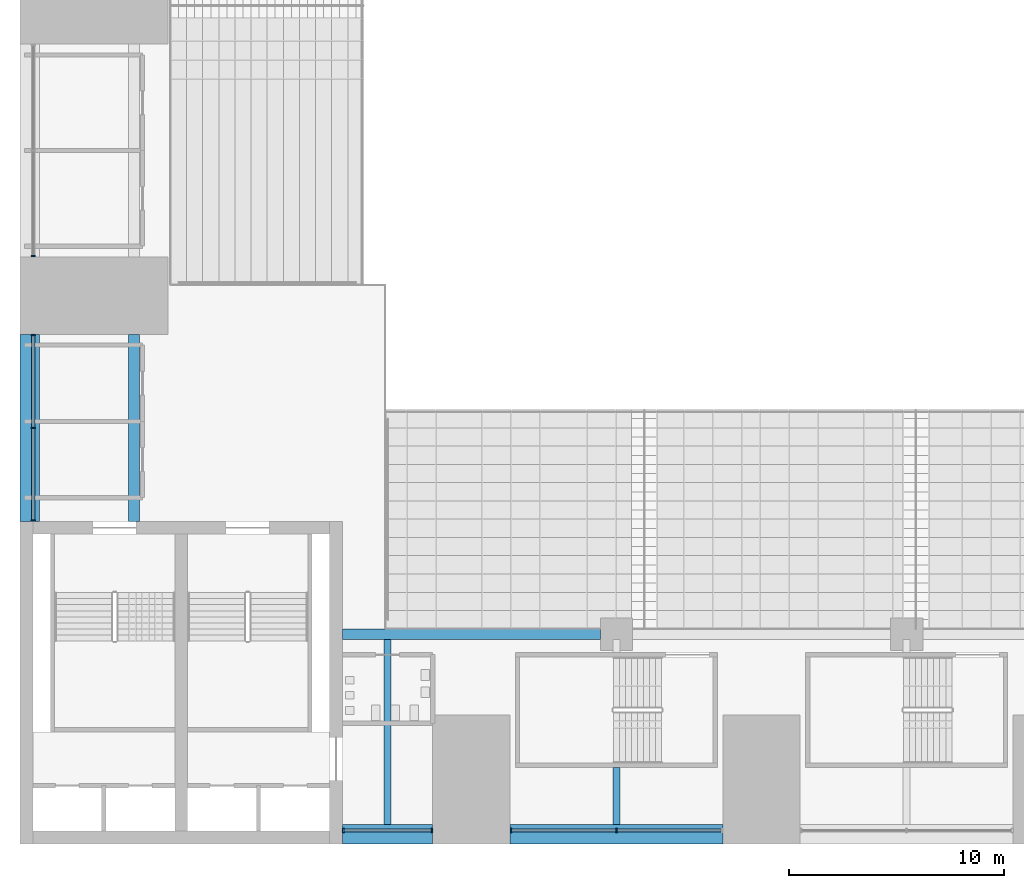
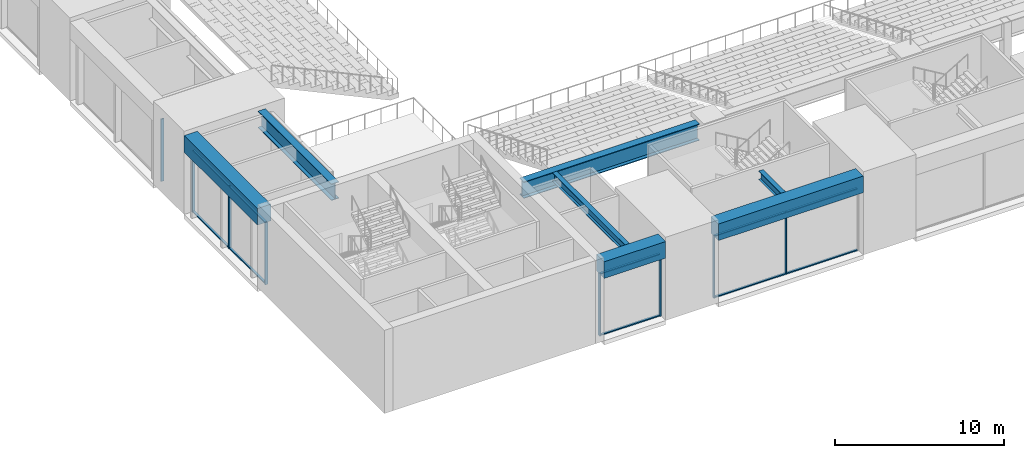
# One storey, part 4 of 61: 18 members, 7 beams, 4 elements without a shape of their own.
"""IFC4 building model written with IfcOpenShell, lengths in metres."""

from ifc_helpers import new_model, si_unit, direction, frame, origin, origin_2d, place, context, subcontext, project, spatial, rectangle, i_section, extrude, material, layer, layer_set, material_profile, profile_set, type_object, element, aggregate, save


model = new_model("IFC4")

# Units and contexts
model_context = context("Model", 3, precision=1e-05, world=origin(), true_north=direction((0.0, 1.0)))
body_context = subcontext(model_context, "Body", "Model", "MODEL_VIEW")
ifc_project = project(units=[si_unit("LENGTHUNIT", "METRE"), si_unit("AREAUNIT", "SQUARE_METRE"), si_unit("VOLUMEUNIT", "CUBIC_METRE"), si_unit("PLANEANGLEUNIT", "RADIAN"), si_unit("MASSUNIT", "GRAM", prefix="KILO")], contexts=[model_context])

# Site, building, storey
site_placement = place(None, origin())
site = spatial("IfcSite", under=ifc_project, at=site_placement, CompositionType="ELEMENT")
building_placement = place(site_placement, origin())
building = spatial("IfcBuilding", under=site, at=building_placement, Name="Corbelhall Arena Tower", CompositionType="ELEMENT")
storey_placement = place(building_placement, frame((0.0, 0.0, 31.0)))
storey = spatial("IfcBuildingStorey", under=building, at=storey_placement, Name="L04", CompositionType="ELEMENT", Elevation=31.0)

# Curtain wall, members
ifc_material_1 = material(Name="Aluminium black anodised", Category="aluminium")
ifc_layer = layer(ifc_material_1, 0.239990234375)
ifc_layer_set = layer_set([ifc_layer], Name="EV-CW4 Arena concourse glazing")
curtain_wall_type = type_object("IfcCurtainWallType", Name="EV-CW4 Arena concourse glazing", PredefinedType="NOTDEFINED", material=ifc_layer_set)
curtain_wall_1_placement = place(storey_placement, origin())
curtain_wall_1 = element("IfcCurtainWall", 1, at=curtain_wall_1_placement, inside=storey, type_object=curtain_wall_type, Name="Curtain wall CW4A", PredefinedType="NOTDEFINED")
ifc_material_profile_1 = material_profile(ifc_material_1, rectangle(XDim=0.199951171875, YDim=0.074951171875, at=origin_2d()))
ifc_profile_set_1 = profile_set([ifc_material_profile_1], Name="Aluminium black anodised")
member_type_1 = type_object("IfcMemberType", Name="EV-CW4-MULLION", PredefinedType="MULLION", material=ifc_profile_set_1)
member_1_placement = place(storey_placement, frame((-32.96240234375, -38.3798828125, 0.0), z_axis=(0.0, 0.0, 1.0), x_axis=(0.0, 1.0, 0.0)))
member_1 = element("IfcMember", 2, at=member_1_placement, type_object=member_type_1, Name="CW4A mullion 1", PredefinedType="MULLION", context=body_context, shape_type="SweptSolid", body=[
    extrude(rectangle(XDim=0.199951171875, YDim=0.074951171875, at=origin_2d()), origin(), (0.0, 0.0, 1.0), 4.5),
])
member_2_placement = place(storey_placement, frame((-28.83740234375, -38.3798828125, 0.0), z_axis=(0.0, 0.0, 1.0), x_axis=(0.0, 1.0, 0.0)))
member_2 = element("IfcMember", 3, at=member_2_placement, type_object=member_type_1, Name="CW4A mullion 2", PredefinedType="MULLION", context=body_context, shape_type="SweptSolid", body=[
    extrude(rectangle(XDim=0.199951171875, YDim=0.074951171875, at=origin_2d()), origin(), (0.0, 0.0, 1.0), 4.5),
])

curtain_wall_2_placement = place(storey_placement, origin())
curtain_wall_2 = element("IfcCurtainWall", 4, at=curtain_wall_2_placement, inside=storey, type_object=curtain_wall_type, Name="Curtain wall CW4", PredefinedType="NOTDEFINED")
member_3_placement = place(storey_placement, frame((-25.16259765625, -38.3798828125, 0.0), z_axis=(0.0, 0.0, 1.0), x_axis=(0.0, 1.0, 0.0)))
member_3 = element("IfcMember", 5, at=member_3_placement, type_object=member_type_1, Name="CW4 mullion 1", PredefinedType="MULLION", context=body_context, shape_type="SweptSolid", body=[
    extrude(rectangle(XDim=0.199951171875, YDim=0.074951171875, at=origin_2d()), origin(), (0.0, 0.0, 1.0), 4.5),
])
member_4_placement = place(storey_placement, frame((-20.25, -38.3798828125, 0.0), z_axis=(0.0, 0.0, 1.0), x_axis=(0.0, 1.0, 0.0)))
member_4 = element("IfcMember", 6, at=member_4_placement, type_object=member_type_1, Name="CW4 mullion 2", PredefinedType="MULLION", context=body_context, shape_type="SweptSolid", body=[
    extrude(rectangle(XDim=0.199951171875, YDim=0.074951171875, at=origin_2d()), origin(), (0.0, 0.0, 1.0), 4.5),
])

# Curtain wall, member
curtain_wall_3_placement = place(storey_placement, origin())
curtain_wall_3 = element("IfcCurtainWall", 7, at=curtain_wall_3_placement, inside=storey, type_object=curtain_wall_type, Name="Curtain wall CW4", PredefinedType="NOTDEFINED")
member_5_placement = place(storey_placement, frame((-47.3798828125, -11.66259765625, 0.0), z_axis=(0.0, 0.0, 1.0), x_axis=(1.0, 0.0, 0.0)))
member_5 = element("IfcMember", 8, at=member_5_placement, type_object=member_type_1, Name="CW4 mullion 3", PredefinedType="MULLION", context=body_context, shape_type="SweptSolid", body=[
    extrude(rectangle(XDim=0.199951171875, YDim=0.074951171875, at=origin_2d()), origin(), (0.0, 0.0, 1.0), 4.5),
])
aggregate(curtain_wall_3, [member_5])

# Curtain wall, members
curtain_wall_4_placement = place(storey_placement, origin())
curtain_wall_4 = element("IfcCurtainWall", 9, at=curtain_wall_4_placement, inside=storey, type_object=curtain_wall_type, Name="Curtain wall CW4B", PredefinedType="NOTDEFINED")
member_6_placement = place(storey_placement, frame((-47.3798828125, -15.33740234375, 0.0), z_axis=(0.0, 0.0, 1.0), x_axis=(1.0, 0.0, 0.0)))
member_6 = element("IfcMember", 10, at=member_6_placement, type_object=member_type_1, Name="CW4B mullion 1", PredefinedType="MULLION", context=body_context, shape_type="SweptSolid", body=[
    extrude(rectangle(XDim=0.199951171875, YDim=0.074951171875, at=origin_2d()), origin(), (0.0, 0.0, 1.0), 4.5),
])
member_7_placement = place(storey_placement, frame((-47.3798828125, -19.64990234375, 0.0), z_axis=(0.0, 0.0, 1.0), x_axis=(1.0, 0.0, 0.0)))
member_7 = element("IfcMember", 11, at=member_7_placement, type_object=member_type_1, Name="CW4B mullion 2", PredefinedType="MULLION", context=body_context, shape_type="SweptSolid", body=[
    extrude(rectangle(XDim=0.199951171875, YDim=0.074951171875, at=origin_2d()), origin(), (0.0, 0.0, 1.0), 4.5),
])
member_8_placement = place(storey_placement, frame((-47.3798828125, -23.96240234375, 0.0), z_axis=(0.0, 0.0, 1.0), x_axis=(1.0, 0.0, 0.0)))
member_8 = element("IfcMember", 12, at=member_8_placement, type_object=member_type_1, Name="CW4B mullion 3", PredefinedType="MULLION", context=body_context, shape_type="SweptSolid", body=[
    extrude(rectangle(XDim=0.199951171875, YDim=0.074951171875, at=origin_2d()), origin(), (0.0, 0.0, 1.0), 4.5),
])

# Member
ifc_material_profile_2 = material_profile(ifc_material_1, rectangle(XDim=0.14990234375, YDim=0.074951171875, at=origin_2d()))
ifc_profile_set_2 = profile_set([ifc_material_profile_2], Name="Aluminium black anodised")
member_type_2 = type_object("IfcMemberType", Name="EV-CW4-TRANSOM", PredefinedType="USERDEFINED", material=ifc_profile_set_2)
member_9_placement = place(storey_placement, frame((-32.925048828125, -38.3798828125, 0.03759765625), z_axis=(1.0, 0.0, 0.0), x_axis=(0.0, 1.0, 0.0)))
member_9 = element("IfcMember", 13, at=member_9_placement, type_object=member_type_2, Name="CW4A transom 1.1", ObjectType="transom", PredefinedType="USERDEFINED", context=body_context, shape_type="SweptSolid", body=[
    extrude(rectangle(XDim=0.14990234375, YDim=0.074951171875, at=origin_2d()), origin(), (0.0, 0.0, 1.0), 4.050048828125),
])

member_10_placement = place(storey_placement, frame((-32.925048828125, -38.3798828125, 4.46240234375), z_axis=(1.0, 0.0, 0.0), x_axis=(0.0, 1.0, 0.0)))
member_10 = element("IfcMember", 14, at=member_10_placement, type_object=member_type_2, Name="CW4A transom 1.2", ObjectType="transom", PredefinedType="USERDEFINED", context=body_context, shape_type="SweptSolid", body=[
    extrude(rectangle(XDim=0.14990234375, YDim=0.074951171875, at=origin_2d()), origin(), (0.0, 0.0, 1.0), 4.050048828125),
])

aggregate(curtain_wall_1, [member_1, member_2, member_9, member_10])

member_11_placement = place(storey_placement, frame((-25.125, -38.3798828125, 0.03759765625), z_axis=(1.0, 0.0, 0.0), x_axis=(0.0, 1.0, 0.0)))
member_11 = element("IfcMember", 15, at=member_11_placement, type_object=member_type_2, Name="CW4 transom 1.1", ObjectType="transom", PredefinedType="USERDEFINED", context=body_context, shape_type="SweptSolid", body=[
    extrude(rectangle(XDim=0.14990234375, YDim=0.074951171875, at=origin_2d()), origin(), (0.0, 0.0, 1.0), 4.83740234375),
])

member_12_placement = place(storey_placement, frame((-25.125, -38.3798828125, 4.46240234375), z_axis=(1.0, 0.0, 0.0), x_axis=(0.0, 1.0, 0.0)))
member_12 = element("IfcMember", 16, at=member_12_placement, type_object=member_type_2, Name="CW4 transom 1.2", ObjectType="transom", PredefinedType="USERDEFINED", context=body_context, shape_type="SweptSolid", body=[
    extrude(rectangle(XDim=0.14990234375, YDim=0.074951171875, at=origin_2d()), origin(), (0.0, 0.0, 1.0), 4.83740234375),
])

member_13_placement = place(storey_placement, frame((-20.21240234375, -38.3798828125, 0.03759765625), z_axis=(1.0, 0.0, 0.0), x_axis=(0.0, 1.0, 0.0)))
member_13 = element("IfcMember", 17, at=member_13_placement, type_object=member_type_2, Name="CW4 transom 2.1", ObjectType="transom", PredefinedType="USERDEFINED", context=body_context, shape_type="SweptSolid", body=[
    extrude(rectangle(XDim=0.14990234375, YDim=0.074951171875, at=origin_2d()), origin(), (0.0, 0.0, 1.0), 4.83740234375),
])

member_14_placement = place(storey_placement, frame((-20.21240234375, -38.3798828125, 4.46240234375), z_axis=(1.0, 0.0, 0.0), x_axis=(0.0, 1.0, 0.0)))
member_14 = element("IfcMember", 18, at=member_14_placement, type_object=member_type_2, Name="CW4 transom 2.2", ObjectType="transom", PredefinedType="USERDEFINED", context=body_context, shape_type="SweptSolid", body=[
    extrude(rectangle(XDim=0.14990234375, YDim=0.074951171875, at=origin_2d()), origin(), (0.0, 0.0, 1.0), 4.83740234375),
])

aggregate(curtain_wall_2, [member_3, member_4, member_11, member_12, member_13, member_14])

member_15_placement = place(storey_placement, frame((-47.3798828125, -15.375, 0.03759765625), z_axis=(0.0, -1.0, 0.0), x_axis=(1.0, 0.0, 0.0)))
member_15 = element("IfcMember", 19, at=member_15_placement, type_object=member_type_2, Name="CW4B transom 1.1", ObjectType="transom", PredefinedType="USERDEFINED", context=body_context, shape_type="SweptSolid", body=[
    extrude(rectangle(XDim=0.14990234375, YDim=0.074951171875, at=origin_2d()), origin(), (0.0, 0.0, 1.0), 4.237548828125),
])

member_16_placement = place(storey_placement, frame((-47.3798828125, -15.375, 4.46240234375), z_axis=(0.0, -1.0, 0.0), x_axis=(1.0, 0.0, 0.0)))
member_16 = element("IfcMember", 20, at=member_16_placement, type_object=member_type_2, Name="CW4B transom 1.2", ObjectType="transom", PredefinedType="USERDEFINED", context=body_context, shape_type="SweptSolid", body=[
    extrude(rectangle(XDim=0.14990234375, YDim=0.074951171875, at=origin_2d()), origin(), (0.0, 0.0, 1.0), 4.237548828125),
])

member_17_placement = place(storey_placement, frame((-47.3798828125, -19.6875, 0.03759765625), z_axis=(0.0, -1.0, 0.0), x_axis=(1.0, 0.0, 0.0)))
member_17 = element("IfcMember", 21, at=member_17_placement, type_object=member_type_2, Name="CW4B transom 2.1", ObjectType="transom", PredefinedType="USERDEFINED", context=body_context, shape_type="SweptSolid", body=[
    extrude(rectangle(XDim=0.14990234375, YDim=0.074951171875, at=origin_2d()), origin(), (0.0, 0.0, 1.0), 4.237548828125),
])

member_18_placement = place(storey_placement, frame((-47.3798828125, -19.6875, 4.46240234375), z_axis=(0.0, -1.0, 0.0), x_axis=(1.0, 0.0, 0.0)))
member_18 = element("IfcMember", 22, at=member_18_placement, type_object=member_type_2, Name="CW4B transom 2.2", ObjectType="transom", PredefinedType="USERDEFINED", context=body_context, shape_type="SweptSolid", body=[
    extrude(rectangle(XDim=0.14990234375, YDim=0.074951171875, at=origin_2d()), origin(), (0.0, 0.0, 1.0), 4.237548828125),
])

aggregate(curtain_wall_4, [member_6, member_7, member_8, member_15, member_16, member_17, member_18])

# Beams
ifc_material_2 = material(Name="Steel ASTM A992 Gr50", Category="steel")
ifc_material_profile_3 = material_profile(ifc_material_2, i_section(OverallWidth=0.323974609375, OverallDepth=0.611083984375, WebThickness=0.0126953125, FlangeThickness=0.01904296875, at=origin_2d()))
ifc_profile_set_3 = profile_set([ifc_material_profile_3], Name="Steel ASTM A992 Gr50")
beam_type_1 = type_object("IfcBeamType", Name="PO-BEAM-W24X104", PredefinedType="BEAM", material=ifc_profile_set_3)
beam_1_placement = place(storey_placement, frame((-30.89990234375, -29.5, 5.39453125), z_axis=(0.0, -1.0, 0.0), x_axis=(1.0, 0.0, 0.0)))
element("IfcBeam", 23, at=beam_1_placement, inside=storey, type_object=beam_type_1, Name="CONCOURSE BEAM", PredefinedType="BEAM", context=body_context, shape_type="SweptSolid", body=[
    extrude(i_section(OverallWidth=0.323974609375, OverallDepth=0.611083984375, WebThickness=0.0126953125, FlangeThickness=0.01904296875, at=origin_2d()), origin(), (0.0, 0.0, 1.0), 8.60009765625),
])
beam_2_placement = place(storey_placement, frame((-20.25, -35.449951171875, 5.39453125), z_axis=(0.0, -1.0, 0.0), x_axis=(1.0, 0.0, 0.0)))
element("IfcBeam", 24, at=beam_2_placement, inside=storey, type_object=beam_type_1, Name="CONCOURSE BEAM", PredefinedType="BEAM", context=body_context, shape_type="SweptSolid", body=[
    extrude(i_section(OverallWidth=0.323974609375, OverallDepth=0.611083984375, WebThickness=0.0126953125, FlangeThickness=0.01904296875, at=origin_2d()), origin(), (0.0, 0.0, 1.0), 2.650146484375),
])
ifc_material_3 = material(Name="Steel ASTM A572 Gr50", Category="steel")
ifc_material_profile_4 = material_profile(ifc_material_3, i_section(OverallWidth=0.5, OverallDepth=1.199951171875, WebThickness=0.02490234375, FlangeThickness=0.044921875, at=origin_2d()))
ifc_profile_set_4 = profile_set([ifc_material_profile_4], Name="Steel ASTM A572 Gr50")
beam_type_2 = type_object("IfcBeamType", Name="PO-GIRDER-PG1200X500X25X45", PredefinedType="BEAM", material=ifc_profile_set_4)
beam_3_placement = place(storey_placement, frame((-33.0, -29.25, 5.10009765625), z_axis=(1.0, 0.0, 0.0), x_axis=(0.0, 1.0, 0.0)))
element("IfcBeam", 25, at=beam_3_placement, inside=storey, type_object=beam_type_2, Name="RING GIRDER", PredefinedType="BEAM", context=body_context, shape_type="SweptSolid", body=[
    extrude(i_section(OverallWidth=0.5, OverallDepth=1.199951171875, WebThickness=0.02490234375, FlangeThickness=0.044921875, at=origin_2d()), origin(), (0.0, 0.0, 1.0), 12.0),
])
beam_4_placement = place(storey_placement, frame((-42.699951171875, -24.0, 5.10009765625), z_axis=(0.0, 1.0, 0.0), x_axis=(-1.0, 0.0, 0.0)))
element("IfcBeam", 26, at=beam_4_placement, inside=storey, type_object=beam_type_2, Name="INNER END GIRDER", PredefinedType="BEAM", context=body_context, shape_type="SweptSolid", body=[
    extrude(i_section(OverallWidth=0.5, OverallDepth=1.199951171875, WebThickness=0.02490234375, FlangeThickness=0.044921875, at=origin_2d()), origin(), (0.0, 0.0, 1.0), 8.699951171875),
])
ifc_material_4 = material(Name="Concrete C80/95", Category="concrete")
ifc_material_profile_5 = material_profile(ifc_material_4, rectangle(XDim=0.89990234375, YDim=1.199951171875, at=origin_2d()))
ifc_profile_set_5 = profile_set([ifc_material_profile_5], Name="Concrete C80/95")
beam_type_3 = type_object("IfcBeamType", Name="PO-RING-BEAM", PredefinedType="BEAM", material=ifc_profile_set_5)
beam_5_placement = place(storey_placement, frame((-33.0, -38.550048828125, 5.10009765625), z_axis=(1.0, 0.0, 0.0), x_axis=(0.0, 1.0, 0.0)))
element("IfcBeam", 27, at=beam_5_placement, inside=storey, type_object=beam_type_3, Name="RING GIRDER L05 S1", PredefinedType="BEAM", context=body_context, shape_type="SweptSolid", body=[
    extrude(rectangle(XDim=0.89990234375, YDim=1.199951171875, at=origin_2d()), origin(), (0.0, 0.0, 1.0), 4.199951171875),
])
beam_6_placement = place(storey_placement, frame((-25.199951171875, -38.550048828125, 5.10009765625), z_axis=(1.0, 0.0, 0.0), x_axis=(0.0, 1.0, 0.0)))
element("IfcBeam", 28, at=beam_6_placement, inside=storey, type_object=beam_type_3, Name="RING GIRDER L05 S2", PredefinedType="BEAM", context=body_context, shape_type="SweptSolid", body=[
    extrude(rectangle(XDim=0.89990234375, YDim=1.199951171875, at=origin_2d()), origin(), (0.0, 0.0, 1.0), 9.89990234375),
])
beam_7_placement = place(storey_placement, frame((-47.550048828125, -24.0, 5.10009765625), z_axis=(0.0, 1.0, 0.0), x_axis=(-1.0, 0.0, 0.0)))
element("IfcBeam", 29, at=beam_7_placement, inside=storey, type_object=beam_type_3, Name="RING GIRDER L05 W1", PredefinedType="BEAM", context=body_context, shape_type="SweptSolid", body=[
    extrude(rectangle(XDim=0.89990234375, YDim=1.199951171875, at=origin_2d()), origin(), (0.0, 0.0, 1.0), 8.699951171875),
])

save(model, "model.ifc")
